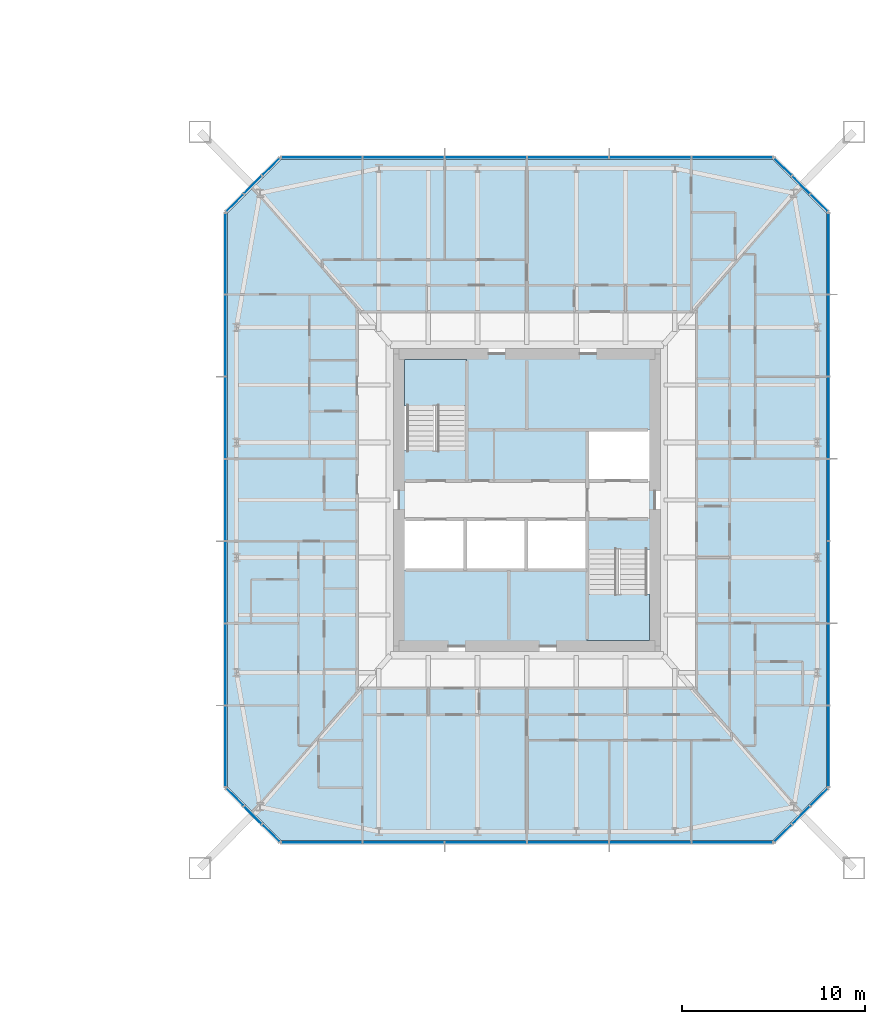
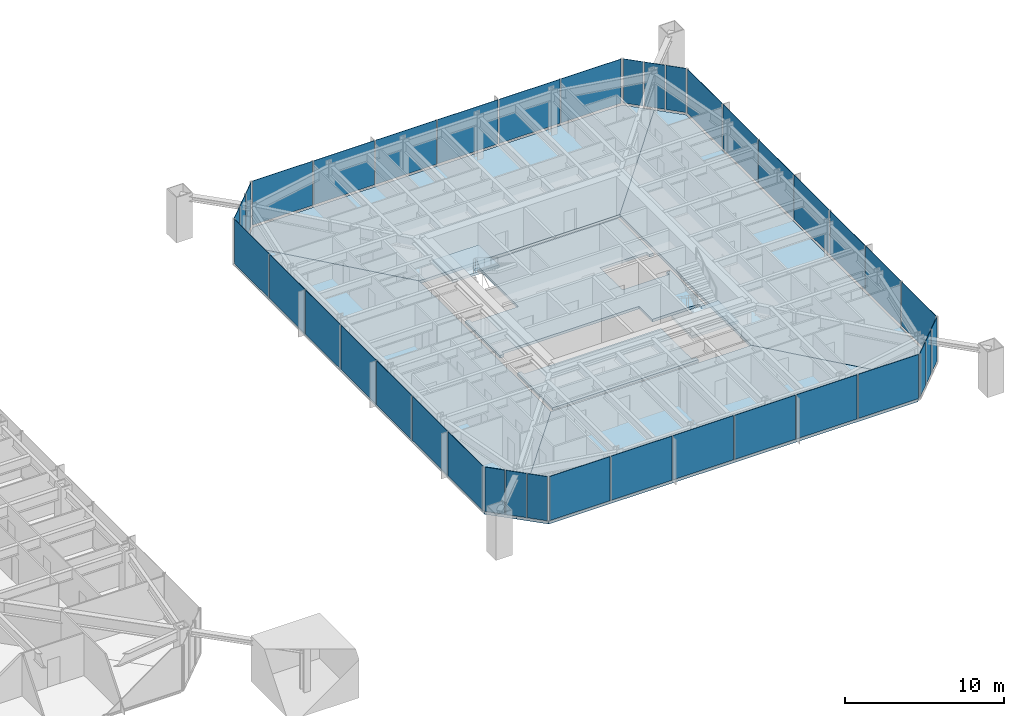
# One storey, part 13 of 26: 38 plates, 8 slabs, 10 elements without a shape of their own.
"""IFC4 building model written with IfcOpenShell, lengths in metres."""

from ifc_helpers import new_model, si_unit, direction, frame, origin, origin_2d, place, context, subcontext, project, spatial, polyline, rectangle, outline, extrude, material, layer, layer_set, constituent, constituent_set, type_object, element, aggregate, save


model = new_model("IFC4")

# Units and contexts
model_context = context("Model", 3, precision=1e-05, world=origin(), true_north=direction((0.0, 1.0)))
body_context = subcontext(model_context, "Body", "Model", "MODEL_VIEW")
ifc_project = project(units=[si_unit("LENGTHUNIT", "METRE"), si_unit("AREAUNIT", "SQUARE_METRE"), si_unit("VOLUMEUNIT", "CUBIC_METRE"), si_unit("PLANEANGLEUNIT", "RADIAN"), si_unit("MASSUNIT", "GRAM", prefix="KILO")], contexts=[model_context])

# Site, building, storey
site_placement = place(None, origin())
site = spatial("IfcSite", under=ifc_project, at=site_placement, CompositionType="ELEMENT")
building_placement = place(site_placement, origin())
building = spatial("IfcBuilding", under=site, at=building_placement, Name="Iwan Alto Co-Living Towers", CompositionType="ELEMENT")
storey_placement = place(building_placement, frame((0.0, 0.0, 46.5)))
storey = spatial("IfcBuildingStorey", under=building, at=storey_placement, Name="L12", CompositionType="ELEMENT", Elevation=46.5)

# Slabs
ifc_material_1 = material(Name="Concrete f'c 30 MPa", Category="concrete")
ifc_layer_1 = layer(ifc_material_1, 0.199951171875)
ifc_layer_set_1 = layer_set([ifc_layer_1], Name="CORE FLOOR SLAB 200")
slab_type_1 = type_object("IfcSlabType", Name="CORE FLOOR SLAB 200", PredefinedType="FLOOR", material=ifc_layer_set_1)
slab_1_placement = place(storey_placement, frame((0.0, 0.0, -0.199951171875)))
element("IfcSlab", 1, at=slab_1_placement, inside=storey, type_object=slab_type_1, Name="T2 core floor L12", PredefinedType="FLOOR", context=body_context, shape_type="SweptSolid", body=[
    extrude(outline(polyline([(70.0, -3.030029296875), (69.699951171875, -3.030029296875), (69.699951171875, -2.719970703125), (66.300048828125, -2.719970703125), (66.300048828125, -1.050048828125), (62.967041015625, -1.050048828125), (59.633056640625, -1.050048828125), (56.300048828125, -1.050048828125), (56.300048828125, -1.360107421875), (56.0, -1.360107421875), (56.0, 3.030029296875), (56.300048828125, 3.030029296875), (56.300048828125, 2.719970703125), (59.699951171875, 2.719970703125), (59.699951171875, 7.699951171875), (59.389892578125, 7.699951171875), (59.389892578125, 8.0), (70.0, 8.0), (70.0, 3.5400390625), (69.699951171875, 3.5400390625), (69.699951171875, 3.85009765625), (66.300048828125, 3.85009765625), (66.300048828125, 1.050048828125), (69.699951171875, 1.050048828125), (69.699951171875, 1.360107421875), (70.0, 1.360107421875), (70.0, -3.030029296875)])), origin(), (0.0, 0.0, 1.0), 0.199951171875),
])
slab_2_placement = place(storey_placement, frame((0.0, 0.0, -0.199951171875)))
element("IfcSlab", 2, at=slab_2_placement, inside=storey, type_object=slab_type_1, Name="T2 core floor L12", PredefinedType="FLOOR", context=body_context, shape_type="SweptSolid", body=[
    extrude(outline(polyline([(62.967041015625, -3.85009765625), (66.300048828125, -3.85009765625), (66.300048828125, -7.699951171875), (66.610107421875, -7.699951171875), (66.610107421875, -8.0), (56.0, -8.0), (56.0, -3.5400390625), (56.300048828125, -3.5400390625), (56.300048828125, -3.85009765625), (59.633056640625, -3.85009765625), (62.967041015625, -3.85009765625)])), origin(), (0.0, 0.0, 1.0), 0.199951171875),
])

# Curtain wall, plates
ifc_material_2 = material(Name="Bronze aluminium unitised frame", Category="aluminium")
curtain_wall_type_1 = type_object("IfcCurtainWallType", Name="CURTAIN WALL CW-C", PredefinedType="NOTDEFINED", material=ifc_material_2)
curtain_wall_1_placement = place(storey_placement, origin())
curtain_wall_1 = element("IfcCurtainWall", 3, at=curtain_wall_1_placement, inside=storey, type_object=curtain_wall_type_1, Name="T2 curtain wall S L12", PredefinedType="NOTDEFINED")
ifc_material_3 = material(Name="Bronze-tinted insulating glass", Category="glass")
ifc_layer_2 = layer(ifc_material_3, 0.031982421875)
ifc_layer_set_2 = layer_set([ifc_layer_2], Name="CW-C PANEL TINTED IGU 32")
plate_type_1 = type_object("IfcPlateType", Name="CW-C PANEL TINTED IGU 32", PredefinedType="CURTAIN_PANEL", material=ifc_layer_set_2)
plate_1_placement = place(storey_placement, frame((51.77001953125, -18.75, 0.10009765625), z_axis=(0.0, 0.0, 1.0), x_axis=(1.0, 0.0, 0.0)))
plate_1 = element("IfcPlate", 4, at=plate_1_placement, type_object=plate_type_1, Name="CW-C panel 1.1", PredefinedType="CURTAIN_PANEL", context=body_context, shape_type="SweptSolid", body=[
    extrude(rectangle(XDim=4.3798828125, YDim=0.031982421875, at=origin_2d()), origin(), (0.0, 0.0, 1.0), 3.39990234375),
])
plate_2_placement = place(storey_placement, frame((60.75, -18.75, 0.10009765625), z_axis=(0.0, 0.0, 1.0), x_axis=(1.0, 0.0, 0.0)))
plate_2 = element("IfcPlate", 5, at=plate_2_placement, type_object=plate_type_1, Name="CW-C panel 3.1", PredefinedType="CURTAIN_PANEL", context=body_context, shape_type="SweptSolid", body=[
    extrude(rectangle(XDim=4.419921875, YDim=0.031982421875, at=origin_2d()), origin(), (0.0, 0.0, 1.0), 3.39990234375),
])
plate_3_placement = place(storey_placement, frame((65.25, -18.75, 0.10009765625), z_axis=(0.0, 0.0, 1.0), x_axis=(1.0, 0.0, 0.0)))
plate_3 = element("IfcPlate", 6, at=plate_3_placement, type_object=plate_type_1, Name="CW-C panel 4.1", PredefinedType="CURTAIN_PANEL", context=body_context, shape_type="SweptSolid", body=[
    extrude(rectangle(XDim=4.419921875, YDim=0.031982421875, at=origin_2d()), origin(), (0.0, 0.0, 1.0), 3.39990234375),
])
plate_4_placement = place(storey_placement, frame((74.22998046875, -18.75, 0.10009765625), z_axis=(0.0, 0.0, 1.0), x_axis=(1.0, 0.0, 0.0)))
plate_4 = element("IfcPlate", 7, at=plate_4_placement, type_object=plate_type_1, Name="CW-C panel 6.1", PredefinedType="CURTAIN_PANEL", context=body_context, shape_type="SweptSolid", body=[
    extrude(rectangle(XDim=4.3798828125, YDim=0.031982421875, at=origin_2d()), origin(), (0.0, 0.0, 1.0), 3.39990234375),
])

curtain_wall_2_placement = place(storey_placement, origin())
curtain_wall_2 = element("IfcCurtainWall", 8, at=curtain_wall_2_placement, inside=storey, type_object=curtain_wall_type_1, Name="T2 curtain wall E L12", PredefinedType="NOTDEFINED")
plate_5_placement = place(storey_placement, frame((79.5, -13.47998046875, 0.10009765625), z_axis=(0.0, 0.0, 1.0), x_axis=(0.0, 1.0, 0.0)))
plate_5 = element("IfcPlate", 9, at=plate_5_placement, type_object=plate_type_1, Name="CW-C panel 1.1", PredefinedType="CURTAIN_PANEL", context=body_context, shape_type="SweptSolid", body=[
    extrude(rectangle(XDim=4.3798828125, YDim=0.031982421875, at=origin_2d()), origin(), (0.0, 0.0, 1.0), 3.39990234375),
])
plate_6_placement = place(storey_placement, frame((79.5, 0.0, 0.10009765625), z_axis=(0.0, 0.0, 1.0), x_axis=(0.0, 1.0, 0.0)))
plate_6 = element("IfcPlate", 10, at=plate_6_placement, type_object=plate_type_1, Name="CW-C panel 4.1", PredefinedType="CURTAIN_PANEL", context=body_context, shape_type="SweptSolid", body=[
    extrude(rectangle(XDim=4.419921875, YDim=0.031982421875, at=origin_2d()), origin(), (0.0, 0.0, 1.0), 3.39990234375),
])
plate_7_placement = place(storey_placement, frame((79.5, 13.47998046875, 0.10009765625), z_axis=(0.0, 0.0, 1.0), x_axis=(0.0, 1.0, 0.0)))
plate_7 = element("IfcPlate", 11, at=plate_7_placement, type_object=plate_type_1, Name="CW-C panel 7.1", PredefinedType="CURTAIN_PANEL", context=body_context, shape_type="SweptSolid", body=[
    extrude(rectangle(XDim=4.3798828125, YDim=0.031982421875, at=origin_2d()), origin(), (0.0, 0.0, 1.0), 3.39990234375),
])

curtain_wall_3_placement = place(storey_placement, origin())
curtain_wall_3 = element("IfcCurtainWall", 12, at=curtain_wall_3_placement, inside=storey, type_object=curtain_wall_type_1, Name="T2 curtain wall N L12", PredefinedType="NOTDEFINED")
plate_8_placement = place(storey_placement, frame((74.22998046875, 18.75, 0.10009765625), z_axis=(0.0, 0.0, 1.0), x_axis=(-1.0, 0.0, 0.0)))
plate_8 = element("IfcPlate", 13, at=plate_8_placement, type_object=plate_type_1, Name="CW-C panel 1.1", PredefinedType="CURTAIN_PANEL", context=body_context, shape_type="SweptSolid", body=[
    extrude(rectangle(XDim=4.3798828125, YDim=0.031982421875, at=origin_2d()), origin(), (0.0, 0.0, 1.0), 3.39990234375),
])
plate_9_placement = place(storey_placement, frame((65.25, 18.75, 0.10009765625), z_axis=(0.0, 0.0, 1.0), x_axis=(-1.0, 0.0, 0.0)))
plate_9 = element("IfcPlate", 14, at=plate_9_placement, type_object=plate_type_1, Name="CW-C panel 3.1", PredefinedType="CURTAIN_PANEL", context=body_context, shape_type="SweptSolid", body=[
    extrude(rectangle(XDim=4.419921875, YDim=0.031982421875, at=origin_2d()), origin(), (0.0, 0.0, 1.0), 3.39990234375),
])
plate_10_placement = place(storey_placement, frame((60.75, 18.75, 0.10009765625), z_axis=(0.0, 0.0, 1.0), x_axis=(-1.0, 0.0, 0.0)))
plate_10 = element("IfcPlate", 15, at=plate_10_placement, type_object=plate_type_1, Name="CW-C panel 4.1", PredefinedType="CURTAIN_PANEL", context=body_context, shape_type="SweptSolid", body=[
    extrude(rectangle(XDim=4.419921875, YDim=0.031982421875, at=origin_2d()), origin(), (0.0, 0.0, 1.0), 3.39990234375),
])
plate_11_placement = place(storey_placement, frame((51.77001953125, 18.75, 0.10009765625), z_axis=(0.0, 0.0, 1.0), x_axis=(-1.0, 0.0, 0.0)))
plate_11 = element("IfcPlate", 16, at=plate_11_placement, type_object=plate_type_1, Name="CW-C panel 6.1", PredefinedType="CURTAIN_PANEL", context=body_context, shape_type="SweptSolid", body=[
    extrude(rectangle(XDim=4.3798828125, YDim=0.031982421875, at=origin_2d()), origin(), (0.0, 0.0, 1.0), 3.39990234375),
])

curtain_wall_4_placement = place(storey_placement, origin())
curtain_wall_4 = element("IfcCurtainWall", 17, at=curtain_wall_4_placement, inside=storey, type_object=curtain_wall_type_1, Name="T2 curtain wall W L12", PredefinedType="NOTDEFINED")
plate_12_placement = place(storey_placement, frame((46.5, 13.47998046875, 0.10009765625), z_axis=(0.0, 0.0, 1.0), x_axis=(0.0, -1.0, 0.0)))
plate_12 = element("IfcPlate", 18, at=plate_12_placement, type_object=plate_type_1, Name="CW-C panel 1.1", PredefinedType="CURTAIN_PANEL", context=body_context, shape_type="SweptSolid", body=[
    extrude(rectangle(XDim=4.3798828125, YDim=0.031982421875, at=origin_2d()), origin(), (0.0, 0.0, 1.0), 3.39990234375),
])
plate_13_placement = place(storey_placement, frame((46.5, 0.0, 0.10009765625), z_axis=(0.0, 0.0, 1.0), x_axis=(0.0, -1.0, 0.0)))
plate_13 = element("IfcPlate", 19, at=plate_13_placement, type_object=plate_type_1, Name="CW-C panel 4.1", PredefinedType="CURTAIN_PANEL", context=body_context, shape_type="SweptSolid", body=[
    extrude(rectangle(XDim=4.419921875, YDim=0.031982421875, at=origin_2d()), origin(), (0.0, 0.0, 1.0), 3.39990234375),
])
plate_14_placement = place(storey_placement, frame((46.5, -13.47998046875, 0.10009765625), z_axis=(0.0, 0.0, 1.0), x_axis=(0.0, -1.0, 0.0)))
plate_14 = element("IfcPlate", 20, at=plate_14_placement, type_object=plate_type_1, Name="CW-C panel 7.1", PredefinedType="CURTAIN_PANEL", context=body_context, shape_type="SweptSolid", body=[
    extrude(rectangle(XDim=4.3798828125, YDim=0.031982421875, at=origin_2d()), origin(), (0.0, 0.0, 1.0), 3.39990234375),
])

# Plate
ifc_material_4 = material(Name="Insulated bronze aluminium spandrel panel", Category="aluminium")
ifc_layer_3 = layer(ifc_material_4, 0.031982421875)
ifc_layer_set_3 = layer_set([ifc_layer_3], Name="CW-C SPANDREL PANEL 32")
plate_type_2 = type_object("IfcPlateType", Name="CW-C SPANDREL PANEL 32", PredefinedType="CURTAIN_PANEL", material=ifc_layer_set_3)
plate_15_placement = place(storey_placement, frame((56.25, -18.75, 0.10009765625), z_axis=(0.0, 0.0, 1.0), x_axis=(1.0, 0.0, 0.0)))
plate_15 = element("IfcPlate", 21, at=plate_15_placement, type_object=plate_type_2, Name="CW-C spandrel panel 2.1 (braced bay)", PredefinedType="CURTAIN_PANEL", context=body_context, shape_type="SweptSolid", body=[
    extrude(rectangle(XDim=4.419921875, YDim=0.031982421875, at=origin_2d()), origin(), (0.0, 0.0, 1.0), 3.39990234375),
])

plate_16_placement = place(storey_placement, frame((69.75, -18.75, 0.10009765625), z_axis=(0.0, 0.0, 1.0), x_axis=(1.0, 0.0, 0.0)))
plate_16 = element("IfcPlate", 22, at=plate_16_placement, type_object=plate_type_2, Name="CW-C spandrel panel 5.1 (braced bay)", PredefinedType="CURTAIN_PANEL", context=body_context, shape_type="SweptSolid", body=[
    extrude(rectangle(XDim=4.419921875, YDim=0.031982421875, at=origin_2d()), origin(), (0.0, 0.0, 1.0), 3.39990234375),
])

aggregate(curtain_wall_1, [plate_1, plate_2, plate_3, plate_4, plate_15, plate_16])

plate_17_placement = place(storey_placement, frame((79.5, -9.0, 0.10009765625), z_axis=(0.0, 0.0, 1.0), x_axis=(0.0, 1.0, 0.0)))
plate_17 = element("IfcPlate", 23, at=plate_17_placement, type_object=plate_type_2, Name="CW-C spandrel panel 2.1 (braced bay)", PredefinedType="CURTAIN_PANEL", context=body_context, shape_type="SweptSolid", body=[
    extrude(rectangle(XDim=4.419921875, YDim=0.031982421875, at=origin_2d()), origin(), (0.0, 0.0, 1.0), 3.39990234375),
])

plate_18_placement = place(storey_placement, frame((79.5, -4.5, 0.10009765625), z_axis=(0.0, 0.0, 1.0), x_axis=(0.0, 1.0, 0.0)))
plate_18 = element("IfcPlate", 24, at=plate_18_placement, type_object=plate_type_2, Name="CW-C spandrel panel 3.1 (braced bay)", PredefinedType="CURTAIN_PANEL", context=body_context, shape_type="SweptSolid", body=[
    extrude(rectangle(XDim=4.419921875, YDim=0.031982421875, at=origin_2d()), origin(), (0.0, 0.0, 1.0), 3.39990234375),
])

plate_19_placement = place(storey_placement, frame((79.5, 4.5, 0.10009765625), z_axis=(0.0, 0.0, 1.0), x_axis=(0.0, 1.0, 0.0)))
plate_19 = element("IfcPlate", 25, at=plate_19_placement, type_object=plate_type_2, Name="CW-C spandrel panel 5.1 (braced bay)", PredefinedType="CURTAIN_PANEL", context=body_context, shape_type="SweptSolid", body=[
    extrude(rectangle(XDim=4.419921875, YDim=0.031982421875, at=origin_2d()), origin(), (0.0, 0.0, 1.0), 3.39990234375),
])

plate_20_placement = place(storey_placement, frame((79.5, 9.0, 0.10009765625), z_axis=(0.0, 0.0, 1.0), x_axis=(0.0, 1.0, 0.0)))
plate_20 = element("IfcPlate", 26, at=plate_20_placement, type_object=plate_type_2, Name="CW-C spandrel panel 6.1 (braced bay)", PredefinedType="CURTAIN_PANEL", context=body_context, shape_type="SweptSolid", body=[
    extrude(rectangle(XDim=4.419921875, YDim=0.031982421875, at=origin_2d()), origin(), (0.0, 0.0, 1.0), 3.39990234375),
])

aggregate(curtain_wall_2, [plate_5, plate_6, plate_7, plate_17, plate_18, plate_19, plate_20])

plate_21_placement = place(storey_placement, frame((69.75, 18.75, 0.10009765625), z_axis=(0.0, 0.0, 1.0), x_axis=(-1.0, 0.0, 0.0)))
plate_21 = element("IfcPlate", 27, at=plate_21_placement, type_object=plate_type_2, Name="CW-C spandrel panel 2.1 (braced bay)", PredefinedType="CURTAIN_PANEL", context=body_context, shape_type="SweptSolid", body=[
    extrude(rectangle(XDim=4.419921875, YDim=0.031982421875, at=origin_2d()), origin(), (0.0, 0.0, 1.0), 3.39990234375),
])

plate_22_placement = place(storey_placement, frame((56.25, 18.75, 0.10009765625), z_axis=(0.0, 0.0, 1.0), x_axis=(-1.0, 0.0, 0.0)))
plate_22 = element("IfcPlate", 28, at=plate_22_placement, type_object=plate_type_2, Name="CW-C spandrel panel 5.1 (braced bay)", PredefinedType="CURTAIN_PANEL", context=body_context, shape_type="SweptSolid", body=[
    extrude(rectangle(XDim=4.419921875, YDim=0.031982421875, at=origin_2d()), origin(), (0.0, 0.0, 1.0), 3.39990234375),
])

aggregate(curtain_wall_3, [plate_8, plate_9, plate_10, plate_11, plate_21, plate_22])

plate_23_placement = place(storey_placement, frame((46.5, 9.0, 0.10009765625), z_axis=(0.0, 0.0, 1.0), x_axis=(0.0, -1.0, 0.0)))
plate_23 = element("IfcPlate", 29, at=plate_23_placement, type_object=plate_type_2, Name="CW-C spandrel panel 2.1 (braced bay)", PredefinedType="CURTAIN_PANEL", context=body_context, shape_type="SweptSolid", body=[
    extrude(rectangle(XDim=4.419921875, YDim=0.031982421875, at=origin_2d()), origin(), (0.0, 0.0, 1.0), 3.39990234375),
])

plate_24_placement = place(storey_placement, frame((46.5, 4.5, 0.10009765625), z_axis=(0.0, 0.0, 1.0), x_axis=(0.0, -1.0, 0.0)))
plate_24 = element("IfcPlate", 30, at=plate_24_placement, type_object=plate_type_2, Name="CW-C spandrel panel 3.1 (braced bay)", PredefinedType="CURTAIN_PANEL", context=body_context, shape_type="SweptSolid", body=[
    extrude(rectangle(XDim=4.419921875, YDim=0.031982421875, at=origin_2d()), origin(), (0.0, 0.0, 1.0), 3.39990234375),
])

plate_25_placement = place(storey_placement, frame((46.5, -4.5, 0.10009765625), z_axis=(0.0, 0.0, 1.0), x_axis=(0.0, -1.0, 0.0)))
plate_25 = element("IfcPlate", 31, at=plate_25_placement, type_object=plate_type_2, Name="CW-C spandrel panel 5.1 (braced bay)", PredefinedType="CURTAIN_PANEL", context=body_context, shape_type="SweptSolid", body=[
    extrude(rectangle(XDim=4.419921875, YDim=0.031982421875, at=origin_2d()), origin(), (0.0, 0.0, 1.0), 3.39990234375),
])

plate_26_placement = place(storey_placement, frame((46.5, -9.0, 0.10009765625), z_axis=(0.0, 0.0, 1.0), x_axis=(0.0, -1.0, 0.0)))
plate_26 = element("IfcPlate", 32, at=plate_26_placement, type_object=plate_type_2, Name="CW-C spandrel panel 6.1 (braced bay)", PredefinedType="CURTAIN_PANEL", context=body_context, shape_type="SweptSolid", body=[
    extrude(rectangle(XDim=4.419921875, YDim=0.031982421875, at=origin_2d()), origin(), (0.0, 0.0, 1.0), 3.39990234375),
])

aggregate(curtain_wall_4, [plate_12, plate_13, plate_14, plate_23, plate_24, plate_25, plate_26])

# Curtain wall, plates
ifc_material_5 = material(Name="Bronze aluminium unitised frame", Category="aluminium")
curtain_wall_type_2 = type_object("IfcCurtainWallType", Name="CURTAIN WALL CW-D", PredefinedType="NOTDEFINED", material=ifc_material_5)
curtain_wall_5_placement = place(storey_placement, origin())
curtain_wall_5 = element("IfcCurtainWall", 33, at=curtain_wall_5_placement, inside=storey, type_object=curtain_wall_type_2, Name="T2 chamfer curtain wall SE L12", PredefinedType="NOTDEFINED")
ifc_material_6 = material(Name="Bronze-tinted insulating glass", Category="glass")
ifc_layer_4 = layer(ifc_material_6, 0.031982421875)
ifc_layer_set_4 = layer_set([ifc_layer_4], Name="CW-D PANEL TINTED IGU 32")
plate_type_3 = type_object("IfcPlateType", Name="CW-D PANEL TINTED IGU 32", PredefinedType="CURTAIN_PANEL", material=ifc_layer_set_4)
plate_27_placement = place(storey_placement, frame((77.01416015625, -18.23583984375, 0.10009765625), z_axis=(0.0, 0.0, 1.0), x_axis=(0.707106781187, 0.707106781187, 0.0)))
plate_27 = element("IfcPlate", 34, at=plate_27_placement, type_object=plate_type_3, Name="CW-D panel 1.1", PredefinedType="CURTAIN_PANEL", context=body_context, shape_type="SweptSolid", body=[
    extrude(rectangle(XDim=1.294189453125, YDim=0.031982421875, at=origin_2d()), origin(), (0.0, 0.0, 1.0), 3.39990234375),
])
plate_28_placement = place(storey_placement, frame((78.0, -17.25, 0.10009765625), z_axis=(0.0, 0.0, 1.0), x_axis=(0.707106781187, 0.707106781187, 0.0)))
plate_28 = element("IfcPlate", 35, at=plate_28_placement, type_object=plate_type_3, Name="CW-D panel 2.1", PredefinedType="CURTAIN_PANEL", context=body_context, shape_type="SweptSolid", body=[
    extrude(rectangle(XDim=1.334228515625, YDim=0.031982421875, at=origin_2d()), origin(), (0.0, 0.0, 1.0), 3.39990234375),
])
plate_29_placement = place(storey_placement, frame((78.98583984375, -16.26416015625, 0.10009765625), z_axis=(0.0, 0.0, 1.0), x_axis=(0.707106781187, 0.707106781187, 0.0)))
plate_29 = element("IfcPlate", 36, at=plate_29_placement, type_object=plate_type_3, Name="CW-D panel 3.1", PredefinedType="CURTAIN_PANEL", context=body_context, shape_type="SweptSolid", body=[
    extrude(rectangle(XDim=1.294189453125, YDim=0.031982421875, at=origin_2d()), origin(), (0.0, 0.0, 1.0), 3.39990234375),
])
aggregate(curtain_wall_5, [plate_27, plate_28, plate_29])

curtain_wall_6_placement = place(storey_placement, origin())
curtain_wall_6 = element("IfcCurtainWall", 37, at=curtain_wall_6_placement, inside=storey, type_object=curtain_wall_type_2, Name="T2 chamfer curtain wall NE L12", PredefinedType="NOTDEFINED")
plate_30_placement = place(storey_placement, frame((78.98583984375, 16.26416015625, 0.10009765625), z_axis=(0.0, 0.0, 1.0), x_axis=(-0.707106781187, 0.707106781187, 0.0)))
plate_30 = element("IfcPlate", 38, at=plate_30_placement, type_object=plate_type_3, Name="CW-D panel 1.1", PredefinedType="CURTAIN_PANEL", context=body_context, shape_type="SweptSolid", body=[
    extrude(rectangle(XDim=1.294189453125, YDim=0.031982421875, at=origin_2d()), origin(), (0.0, 0.0, 1.0), 3.39990234375),
])
plate_31_placement = place(storey_placement, frame((78.0, 17.25, 0.10009765625), z_axis=(0.0, 0.0, 1.0), x_axis=(-0.707106781187, 0.707106781187, 0.0)))
plate_31 = element("IfcPlate", 39, at=plate_31_placement, type_object=plate_type_3, Name="CW-D panel 2.1", PredefinedType="CURTAIN_PANEL", context=body_context, shape_type="SweptSolid", body=[
    extrude(rectangle(XDim=1.334228515625, YDim=0.031982421875, at=origin_2d()), origin(), (0.0, 0.0, 1.0), 3.39990234375),
])
plate_32_placement = place(storey_placement, frame((77.01416015625, 18.23583984375, 0.10009765625), z_axis=(0.0, 0.0, 1.0), x_axis=(-0.707106781187, 0.707106781187, 0.0)))
plate_32 = element("IfcPlate", 40, at=plate_32_placement, type_object=plate_type_3, Name="CW-D panel 3.1", PredefinedType="CURTAIN_PANEL", context=body_context, shape_type="SweptSolid", body=[
    extrude(rectangle(XDim=1.294189453125, YDim=0.031982421875, at=origin_2d()), origin(), (0.0, 0.0, 1.0), 3.39990234375),
])
aggregate(curtain_wall_6, [plate_30, plate_31, plate_32])

curtain_wall_7_placement = place(storey_placement, origin())
curtain_wall_7 = element("IfcCurtainWall", 41, at=curtain_wall_7_placement, inside=storey, type_object=curtain_wall_type_2, Name="T2 chamfer curtain wall NW L12", PredefinedType="NOTDEFINED")
plate_33_placement = place(storey_placement, frame((48.98583984375, 18.23583984375, 0.10009765625), z_axis=(0.0, 0.0, 1.0), x_axis=(-0.707106781187, -0.707106781187, 0.0)))
plate_33 = element("IfcPlate", 42, at=plate_33_placement, type_object=plate_type_3, Name="CW-D panel 1.1", PredefinedType="CURTAIN_PANEL", context=body_context, shape_type="SweptSolid", body=[
    extrude(rectangle(XDim=1.294189453125, YDim=0.031982421875, at=origin_2d()), origin(), (0.0, 0.0, 1.0), 3.39990234375),
])
plate_34_placement = place(storey_placement, frame((48.0, 17.25, 0.10009765625), z_axis=(0.0, 0.0, 1.0), x_axis=(-0.707106781187, -0.707106781187, 0.0)))
plate_34 = element("IfcPlate", 43, at=plate_34_placement, type_object=plate_type_3, Name="CW-D panel 2.1", PredefinedType="CURTAIN_PANEL", context=body_context, shape_type="SweptSolid", body=[
    extrude(rectangle(XDim=1.334228515625, YDim=0.031982421875, at=origin_2d()), origin(), (0.0, 0.0, 1.0), 3.39990234375),
])
plate_35_placement = place(storey_placement, frame((47.01416015625, 16.26416015625, 0.10009765625), z_axis=(0.0, 0.0, 1.0), x_axis=(-0.707106781187, -0.707106781187, 0.0)))
plate_35 = element("IfcPlate", 44, at=plate_35_placement, type_object=plate_type_3, Name="CW-D panel 3.1", PredefinedType="CURTAIN_PANEL", context=body_context, shape_type="SweptSolid", body=[
    extrude(rectangle(XDim=1.294189453125, YDim=0.031982421875, at=origin_2d()), origin(), (0.0, 0.0, 1.0), 3.39990234375),
])
aggregate(curtain_wall_7, [plate_33, plate_34, plate_35])

curtain_wall_8_placement = place(storey_placement, origin())
curtain_wall_8 = element("IfcCurtainWall", 45, at=curtain_wall_8_placement, inside=storey, type_object=curtain_wall_type_2, Name="T2 chamfer curtain wall SW L12", PredefinedType="NOTDEFINED")
plate_36_placement = place(storey_placement, frame((47.01416015625, -16.26416015625, 0.10009765625), z_axis=(0.0, 0.0, 1.0), x_axis=(0.707106781187, -0.707106781187, 0.0)))
plate_36 = element("IfcPlate", 46, at=plate_36_placement, type_object=plate_type_3, Name="CW-D panel 1.1", PredefinedType="CURTAIN_PANEL", context=body_context, shape_type="SweptSolid", body=[
    extrude(rectangle(XDim=1.294189453125, YDim=0.031982421875, at=origin_2d()), origin(), (0.0, 0.0, 1.0), 3.39990234375),
])
plate_37_placement = place(storey_placement, frame((48.0, -17.25, 0.10009765625), z_axis=(0.0, 0.0, 1.0), x_axis=(0.707106781187, -0.707106781187, 0.0)))
plate_37 = element("IfcPlate", 47, at=plate_37_placement, type_object=plate_type_3, Name="CW-D panel 2.1", PredefinedType="CURTAIN_PANEL", context=body_context, shape_type="SweptSolid", body=[
    extrude(rectangle(XDim=1.334228515625, YDim=0.031982421875, at=origin_2d()), origin(), (0.0, 0.0, 1.0), 3.39990234375),
])
plate_38_placement = place(storey_placement, frame((48.98583984375, -18.23583984375, 0.10009765625), z_axis=(0.0, 0.0, 1.0), x_axis=(0.707106781187, -0.707106781187, 0.0)))
plate_38 = element("IfcPlate", 48, at=plate_38_placement, type_object=plate_type_3, Name="CW-D panel 3.1", PredefinedType="CURTAIN_PANEL", context=body_context, shape_type="SweptSolid", body=[
    extrude(rectangle(XDim=1.294189453125, YDim=0.031982421875, at=origin_2d()), origin(), (0.0, 0.0, 1.0), 3.39990234375),
])
aggregate(curtain_wall_8, [plate_36, plate_37, plate_38])

# Stair, slab
ifc_material_7 = material(Name="Steel ASTM A36", Category="steel")
ifc_constituent_1 = constituent(ifc_material_7, Name="Stringers", Category="LoadBearing")
ifc_material_8 = material(Name="Concrete f'c 30 MPa", Category="concrete")
ifc_constituent_2 = constituent(ifc_material_8, Name="Tread fill", Category="Finish")
ifc_constituent_set = constituent_set(constituents=[ifc_constituent_1, ifc_constituent_2], Name="STAIR 3500 TWO-FLIGHT T2 CORE")
stair_type = type_object("IfcStairType", Name="STAIR 3500 TWO-FLIGHT T2 CORE", PredefinedType="HALF_TURN_STAIR", material=ifc_constituent_set)
stair_1_placement = place(storey_placement, origin())
stair_1 = element("IfcStair", 49, at=stair_1_placement, inside=storey, type_object=stair_type, Name="Stair T2-S1 L12 to L13", PredefinedType="HALF_TURN_STAIR")
ifc_material_9 = material(Name="Concrete f'c 30 MPa", Category="concrete")
ifc_layer_5 = layer(ifc_material_9, 0.199951171875)
ifc_layer_set_5 = layer_set([ifc_layer_5], Name="STAIR LANDING 200")
slab_type_2 = type_object("IfcSlabType", Name="STAIR LANDING 200", PredefinedType="LANDING", material=ifc_layer_set_5)
slab_3_placement = place(storey_placement, frame((0.0, 0.0, 1.550048828125)))
slab_3 = element("IfcSlab", 50, at=slab_3_placement, type_object=slab_type_2, Name="T2-S1 landing 1", PredefinedType="LANDING", context=body_context, shape_type="SweptSolid", body=[
    extrude(outline(polyline([(56.300048828125, 5.139892578125), (56.300048828125, 7.699951171875), (59.699951171875, 7.699951171875), (59.699951171875, 5.139892578125), (56.300048828125, 5.139892578125)])), origin(), (0.0, 0.0, 1.0), 0.199951171875),
])
aggregate(stair_1, [slab_3])

stair_2_placement = place(storey_placement, origin())
stair_2 = element("IfcStair", 51, at=stair_2_placement, inside=storey, type_object=stair_type, Name="Stair T2-S2 L12 to L13", PredefinedType="HALF_TURN_STAIR")
slab_4_placement = place(storey_placement, frame((0.0, 0.0, 1.550048828125)))
slab_4 = element("IfcSlab", 52, at=slab_4_placement, type_object=slab_type_2, Name="T2-S2 landing 1", PredefinedType="LANDING", context=body_context, shape_type="SweptSolid", body=[
    extrude(outline(polyline([(66.300048828125, -5.139892578125), (66.300048828125, -7.699951171875), (69.699951171875, -7.699951171875), (69.699951171875, -5.139892578125), (66.300048828125, -5.139892578125)])), origin(), (0.0, 0.0, 1.0), 0.199951171875),
])
aggregate(stair_2, [slab_4])

# Slabs
ifc_material_10 = material(Name="Concrete f'c 30 MPa", Category="concrete")
ifc_layer_6 = layer(ifc_material_10, 0.22998046875)
ifc_layer_set_6 = layer_set([ifc_layer_6], Name="T2 FLOOR SLAB 230")
slab_type_3 = type_object("IfcSlabType", Name="T2 FLOOR SLAB 230", PredefinedType="FLOOR", material=ifc_layer_set_6)
slab_5_placement = place(storey_placement, frame((0.0, 0.0, -0.22998046875)))
element("IfcSlab", 53, at=slab_5_placement, inside=storey, type_object=slab_type_3, Name="T2 floor slab L12 S pour", PredefinedType="FLOOR", context=body_context, shape_type="SweptSolid", body=[
    extrude(outline(polyline([(76.44140625, -18.64990234375), (49.55859375, -18.64990234375), (48.07568359375, -17.1669921875), (55.699951171875, -8.300048828125), (70.300048828125, -8.300048828125), (77.92431640625, -17.1669921875), (76.44140625, -18.64990234375)])), origin(), (0.0, 0.0, 1.0), 0.22998046875),
])
slab_6_placement = place(storey_placement, frame((0.0, 0.0, -0.22998046875)))
element("IfcSlab", 54, at=slab_6_placement, inside=storey, type_object=slab_type_3, Name="T2 floor slab L12 E pour", PredefinedType="FLOOR", context=body_context, shape_type="SweptSolid", body=[
    extrude(outline(polyline([(79.39990234375, 15.69140625), (79.39990234375, -15.69140625), (77.92431640625, -17.1669921875), (70.300048828125, -8.300048828125), (70.300048828125, 8.300048828125), (77.92431640625, 17.1669921875), (79.39990234375, 15.69140625)])), origin(), (0.0, 0.0, 1.0), 0.22998046875),
])
slab_7_placement = place(storey_placement, frame((0.0, 0.0, -0.22998046875)))
element("IfcSlab", 55, at=slab_7_placement, inside=storey, type_object=slab_type_3, Name="T2 floor slab L12 N pour", PredefinedType="FLOOR", context=body_context, shape_type="SweptSolid", body=[
    extrude(outline(polyline([(49.55859375, 18.64990234375), (76.44140625, 18.64990234375), (77.92431640625, 17.1669921875), (70.300048828125, 8.300048828125), (55.699951171875, 8.300048828125), (48.07568359375, 17.1669921875), (49.55859375, 18.64990234375)])), origin(), (0.0, 0.0, 1.0), 0.22998046875),
])
slab_8_placement = place(storey_placement, frame((0.0, 0.0, -0.22998046875)))
element("IfcSlab", 56, at=slab_8_placement, inside=storey, type_object=slab_type_3, Name="T2 floor slab L12 W pour", PredefinedType="FLOOR", context=body_context, shape_type="SweptSolid", body=[
    extrude(outline(polyline([(46.60009765625, 15.69140625), (48.07568359375, 17.1669921875), (55.699951171875, 8.300048828125), (55.699951171875, -8.300048828125), (48.07568359375, -17.1669921875), (46.60009765625, -15.69140625), (46.60009765625, 15.69140625)])), origin(), (0.0, 0.0, 1.0), 0.22998046875),
])

save(model, "model.ifc")
